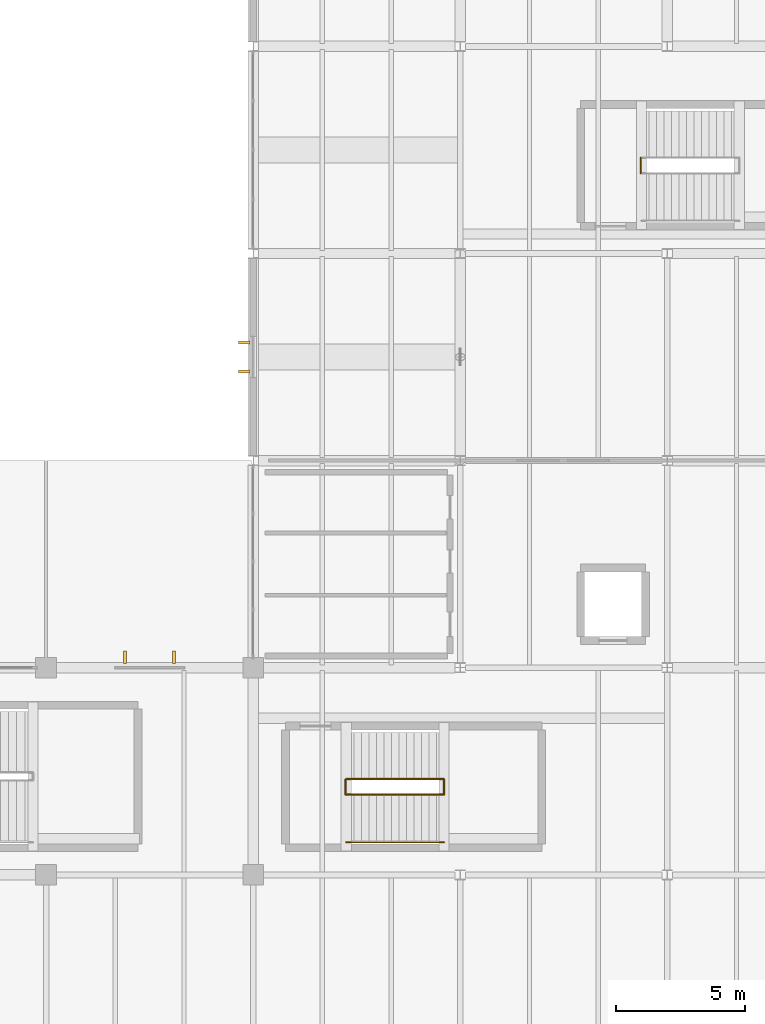
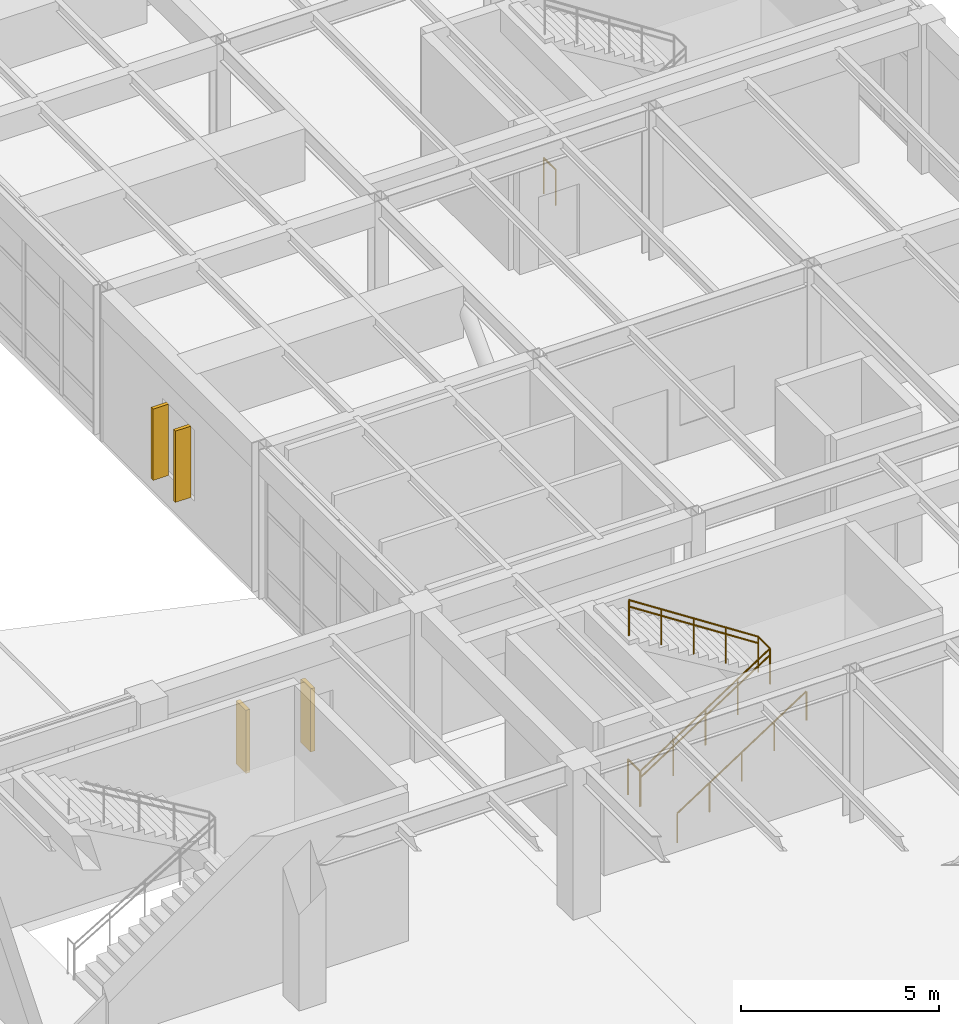
# One storey, part 56 of 60: 7 railings, 4 shading devices.
"""IFC4 building model written with IfcOpenShell, lengths in metres."""

from ifc_helpers import new_model, si_unit, direction, frame, origin, origin_2d, place, context, subcontext, project, spatial, rectangle, circle, extrude, material, type_object, element, save


model = new_model("IFC4")

# Units and contexts
model_context = context("Model", 3, precision=1e-05, world=origin(), true_north=direction((0.0, 1.0)))
body_context = subcontext(model_context, "Body", "Model", "MODEL_VIEW")
ifc_project = project(units=[si_unit("LENGTHUNIT", "METRE"), si_unit("AREAUNIT", "SQUARE_METRE"), si_unit("VOLUMEUNIT", "CUBIC_METRE"), si_unit("PLANEANGLEUNIT", "RADIAN"), si_unit("MASSUNIT", "GRAM", prefix="KILO")], contexts=[model_context])

# Site, building, storey
site_placement = place(None, origin())
site = spatial("IfcSite", under=ifc_project, at=site_placement, CompositionType="ELEMENT")
building_placement = place(site_placement, origin())
building = spatial("IfcBuilding", under=site, at=building_placement, Name="Varnela Railside Interchange", CompositionType="ELEMENT")
storey_placement = place(building_placement, frame((0.0, 0.0, 6.300048828125)))
storey = spatial("IfcBuildingStorey", under=building, at=storey_placement, Name="L01", CompositionType="ELEMENT", Elevation=6.300048828125)

# Shading devices
ifc_material_1 = material(Name="Concrete C40 precast", Category="concrete")
shading_device_type_1 = type_object("IfcShadingDeviceType", Name="Paulista Vertical Brise-Soleil BS-01", PredefinedType="USERDEFINED", material=ifc_material_1)
for number, where, z_axis, x_axis, name in (
    (1, (111.054931640625, 62.405029296875, 0.9501953125), (0.0, 0.0, 1.0), (0.0, 1.0, 0.0), "Paulista Vertical Brise-Soleil BS-01 (L01)"),
    (2, (112.945068359375, 62.405029296875, 0.9501953125), (0.0, 0.0, 1.0), (0.0, 1.0, 0.0), "Paulista Vertical Brise-Soleil BS-01 (L01)"),
):
    element("IfcShadingDevice", number, at=place(storey_placement, frame(where, z_axis=z_axis, x_axis=x_axis)), inside=storey, type_object=shading_device_type_1, Name=name, ObjectType="FIN", PredefinedType="USERDEFINED", context=body_context, shape_type="SweptSolid", body=[
        extrude(rectangle(XDim=0.5, YDim=0.1201171875, at=origin_2d()), origin(), (0.0, 0.0, 1.0), 1.949951171875),
    ])

# Railings
ifc_material_2 = material(Name="Steel AR 350 (350 MPa)", Category="steel")
railing_type_1 = type_object("IfcRailingType", Name="Stair & Ramp Pitch Handrail HR-01", PredefinedType="HANDRAIL", material=ifc_material_2)
railing_1_placement = place(storey_placement, frame((119.60009765625, 57.10009765625, 0.0)))
element("IfcRailing", 3, at=railing_1_placement, inside=storey, type_object=railing_type_1, Name="Stair Handrail ST-E1 Flight 1 (RL-0305)", PredefinedType="HANDRAIL", context=body_context, shape_type="SweptSolid", body=[
    extrude(circle(Radius=0.02392578125, at=origin_2d()), frame((0.0, 0.0, 0.89599609375), z_axis=(0.838500679196, 0.0, 0.544900551466), x_axis=(0.0, 1.0, 0.0)), (0.0, 0.0, 1.0), 4.49609375),
    extrude(circle(Radius=0.02099609375, at=origin_2d()), origin(), (0.0, 0.0, 1.0), 0.871826171875),
    extrude(circle(Radius=0.02099609375, at=origin_2d()), frame((0.9423828125, 0.0, 0.612548828125)), (0.0, 0.0, 1.0), 0.871826171875),
    extrude(circle(Radius=0.02099609375, at=origin_2d()), frame((1.885009765625, 0.0, 1.22509765625)), (0.0, 0.0, 1.0), 0.871826171875),
    extrude(circle(Radius=0.02099609375, at=origin_2d()), frame((2.82763671875, 0.0, 1.83740234375)), (0.0, 0.0, 1.0), 0.871826171875),
    extrude(circle(Radius=0.02099609375, at=origin_2d()), frame((3.77001953125, 0.0, 2.449951171875)), (0.0, 0.0, 1.0), 0.871826171875),
])
railing_2_placement = place(storey_placement, frame((123.3701171875, 57.699951171875, 2.449951171875)))
element("IfcRailing", 4, at=railing_2_placement, inside=storey, type_object=railing_type_1, Name="Stair Handrail ST-E1 Flight 2 (RL-0306)", PredefinedType="HANDRAIL", context=body_context, shape_type="SweptSolid", body=[
    extrude(circle(Radius=0.02392578125, at=origin_2d()), frame((0.0, 0.0, 0.89599609375), z_axis=(-0.838500679196, 0.0, 0.544900551466), x_axis=(0.0, -1.0, 0.0)), (0.0, 0.0, 1.0), 4.49609375),
    extrude(circle(Radius=0.02099609375, at=origin_2d()), origin(), (0.0, 0.0, 1.0), 0.871826171875),
    extrude(circle(Radius=0.02099609375, at=origin_2d()), frame((-0.9423828125, 0.0, 0.612548828125)), (0.0, 0.0, 1.0), 0.871826171875),
    extrude(circle(Radius=0.02099609375, at=origin_2d()), frame((-1.885009765625, 0.0, 1.22509765625)), (0.0, 0.0, 1.0), 0.871826171875),
    extrude(circle(Radius=0.02099609375, at=origin_2d()), frame((-2.82763671875, 0.0, 1.83740234375)), (0.0, 0.0, 1.0), 0.871826171875),
    extrude(circle(Radius=0.02099609375, at=origin_2d()), frame((-3.77001953125, 0.0, 2.449951171875)), (0.0, 0.0, 1.0), 0.871826171875),
])
railing_type_2 = type_object("IfcRailingType", Name="Stair Well & Landing Guard GR-02", PredefinedType="GUARDRAIL", material=ifc_material_2)
railing_3_placement = place(storey_placement, frame((119.570068359375, 57.10009765625, 0.0)))
element("IfcRailing", 5, at=railing_3_placement, inside=storey, type_object=railing_type_2, Name="Stair Well Slot Guard ST-E1 on L01 (RL-0273)", PredefinedType="GUARDRAIL", context=body_context, shape_type="SweptSolid", body=[
    extrude(circle(Radius=0.02392578125, at=origin_2d()), frame((0.0, 0.0, 1.09619140625), z_axis=(0.0, 1.0, 0.0), x_axis=(-1.0, 0.0, 0.0)), (0.0, 0.0, 1.0), 0.599853515625),
    extrude(circle(Radius=0.02099609375, at=origin_2d()), origin(), (0.0, 0.0, 1.0), 1.072021484375),
    extrude(circle(Radius=0.02099609375, at=origin_2d()), frame((0.0, 0.599853515625, 0.0)), (0.0, 0.0, 1.0), 1.072021484375),
])
railing_4_placement = place(storey_placement, frame((119.60009765625, 57.10009765625, 0.0)))
element("IfcRailing", 6, at=railing_4_placement, inside=storey, type_object=railing_type_2, Name="Stair Guard ST-E1 Half-Landing (RL-0271)", PredefinedType="GUARDRAIL", context=body_context, shape_type="SweptSolid", body=[
    extrude(circle(Radius=0.02392578125, at=origin_2d()), frame((0.0, 0.0, 1.09619140625), z_axis=(0.838500679196, 0.0, 0.544900551466), x_axis=(0.0, 1.0, 0.0)), (0.0, 0.0, 1.0), 4.49609375),
    extrude(circle(Radius=0.02392578125, at=origin_2d()), frame((3.77001953125, 0.0, 3.5458984375), z_axis=(0.0, 1.0, 0.0), x_axis=(-1.0, 0.0, 0.0)), (0.0, 0.0, 1.0), 0.599853515625),
    extrude(circle(Radius=0.02099609375, at=origin_2d()), origin(), (0.0, 0.0, 1.0), 1.072021484375),
    extrude(circle(Radius=0.02099609375, at=origin_2d()), frame((0.9423828125, 0.0, 0.612548828125)), (0.0, 0.0, 1.0), 1.072021484375),
    extrude(circle(Radius=0.02099609375, at=origin_2d()), frame((1.885009765625, 0.0, 1.22509765625)), (0.0, 0.0, 1.0), 1.072021484375),
    extrude(circle(Radius=0.02099609375, at=origin_2d()), frame((2.82763671875, 0.0, 1.83740234375)), (0.0, 0.0, 1.0), 1.072021484375),
    extrude(circle(Radius=0.02099609375, at=origin_2d()), frame((3.77001953125, 0.0, 2.449951171875)), (0.0, 0.0, 1.0), 1.072021484375),
    extrude(circle(Radius=0.02099609375, at=origin_2d()), frame((3.77001953125, 0.599853515625, 2.449951171875)), (0.0, 0.0, 1.0), 1.072021484375),
])
railing_5_placement = place(storey_placement, frame((123.3701171875, 57.699951171875, 2.449951171875)))
element("IfcRailing", 7, at=railing_5_placement, inside=storey, type_object=railing_type_2, Name="Stair Guard ST-E1 Upper Flight (RL-0272)", PredefinedType="GUARDRAIL", context=body_context, shape_type="SweptSolid", body=[
    extrude(circle(Radius=0.02392578125, at=origin_2d()), frame((0.0, 0.0, 1.09619140625), z_axis=(-0.838500679196, 0.0, 0.544900551466), x_axis=(0.0, -1.0, 0.0)), (0.0, 0.0, 1.0), 4.49609375),
    extrude(circle(Radius=0.02099609375, at=origin_2d()), origin(), (0.0, 0.0, 1.0), 1.072021484375),
    extrude(circle(Radius=0.02099609375, at=origin_2d()), frame((-0.9423828125, 0.0, 0.612548828125)), (0.0, 0.0, 1.0), 1.072021484375),
    extrude(circle(Radius=0.02099609375, at=origin_2d()), frame((-1.885009765625, 0.0, 1.22509765625)), (0.0, 0.0, 1.0), 1.072021484375),
    extrude(circle(Radius=0.02099609375, at=origin_2d()), frame((-2.82763671875, 0.0, 1.83740234375)), (0.0, 0.0, 1.0), 1.072021484375),
    extrude(circle(Radius=0.02099609375, at=origin_2d()), frame((-3.77001953125, 0.0, 2.449951171875)), (0.0, 0.0, 1.0), 1.072021484375),
])
railing_6_placement = place(storey_placement, frame((130.969970703125, 81.10009765625, 0.0)))
element("IfcRailing", 8, at=railing_6_placement, inside=storey, type_object=railing_type_2, Name="Stair Well Slot Guard ST-E2 on L01 (RL-0276)", PredefinedType="GUARDRAIL", context=body_context, shape_type="SweptSolid", body=[
    extrude(circle(Radius=0.02392578125, at=origin_2d()), frame((0.0, 0.0, 1.09619140625), z_axis=(0.0, 1.0, 0.0), x_axis=(-1.0, 0.0, 0.0)), (0.0, 0.0, 1.0), 0.599853515625),
    extrude(circle(Radius=0.02099609375, at=origin_2d()), origin(), (0.0, 0.0, 1.0), 1.072021484375),
    extrude(circle(Radius=0.02099609375, at=origin_2d()), frame((0.0, 0.599853515625, 0.0)), (0.0, 0.0, 1.0), 1.072021484375),
])

# Shading devices
shading_device_type_2 = type_object("IfcShadingDeviceType", Name="Terracotta Vertical Sun Fin BS-02", PredefinedType="USERDEFINED", material=ifc_material_1)
for number, where, z_axis, x_axis, name in (
    (9, (115.64990234375, 73.43994140625, 0.9501953125), (0.0, 0.0, 1.0), (-1.0, 0.0, 0.0), "Terracotta Vertical Sun Fin BS-02 (L01)"),
    (10, (115.64990234375, 74.56005859375, 0.9501953125), (0.0, 0.0, 1.0), (-1.0, 0.0, 0.0), "Terracotta Vertical Sun Fin BS-02 (L01)"),
):
    element("IfcShadingDevice", number, at=place(storey_placement, frame(where, z_axis=z_axis, x_axis=x_axis)), inside=storey, type_object=shading_device_type_2, Name=name, ObjectType="FIN", PredefinedType="USERDEFINED", context=body_context, shape_type="SweptSolid", body=[
        extrude(rectangle(XDim=0.449951171875, YDim=0.10009765625, at=origin_2d()), origin(), (0.0, 0.0, 1.0), 2.199951171875),
    ])

# Railing
railing_type_3 = type_object("IfcRailingType", Name="Wall-Mounted Stair Handrail HR-02", PredefinedType="HANDRAIL", material=ifc_material_2)
railing_7_placement = place(storey_placement, frame((119.60009765625, 55.260009765625, 0.0)))
element("IfcRailing", 11, at=railing_7_placement, inside=storey, type_object=railing_type_3, Name="Wall Handrail ST-E1 Flight 1 (RL-0323)", PredefinedType="HANDRAIL", context=body_context, shape_type="SweptSolid", body=[
    extrude(circle(Radius=0.02392578125, at=origin_2d()), frame((0.0, 0.0, 0.89599609375), z_axis=(0.838500679196, 0.0, 0.544900551466), x_axis=(0.0, 1.0, 0.0)), (0.0, 0.0, 1.0), 4.49609375),
    extrude(circle(Radius=0.02099609375, at=origin_2d()), origin(), (0.0, 0.0, 1.0), 0.871826171875),
    extrude(circle(Radius=0.02099609375, at=origin_2d()), frame((0.9423828125, 0.0, 0.612548828125)), (0.0, 0.0, 1.0), 0.871826171875),
    extrude(circle(Radius=0.02099609375, at=origin_2d()), frame((1.885009765625, 0.0, 1.22509765625)), (0.0, 0.0, 1.0), 0.871826171875),
    extrude(circle(Radius=0.02099609375, at=origin_2d()), frame((2.82763671875, 0.0, 1.83740234375)), (0.0, 0.0, 1.0), 0.871826171875),
    extrude(circle(Radius=0.02099609375, at=origin_2d()), frame((3.77001953125, 0.0, 2.449951171875)), (0.0, 0.0, 1.0), 0.871826171875),
])

save(model, "model.ifc")
